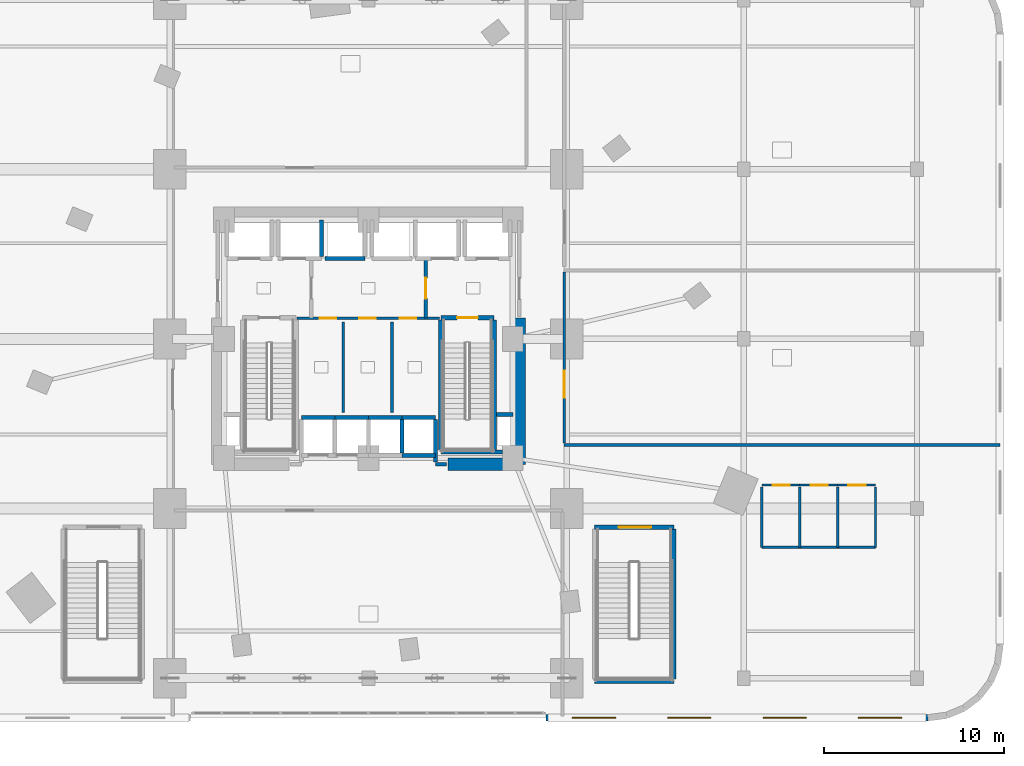
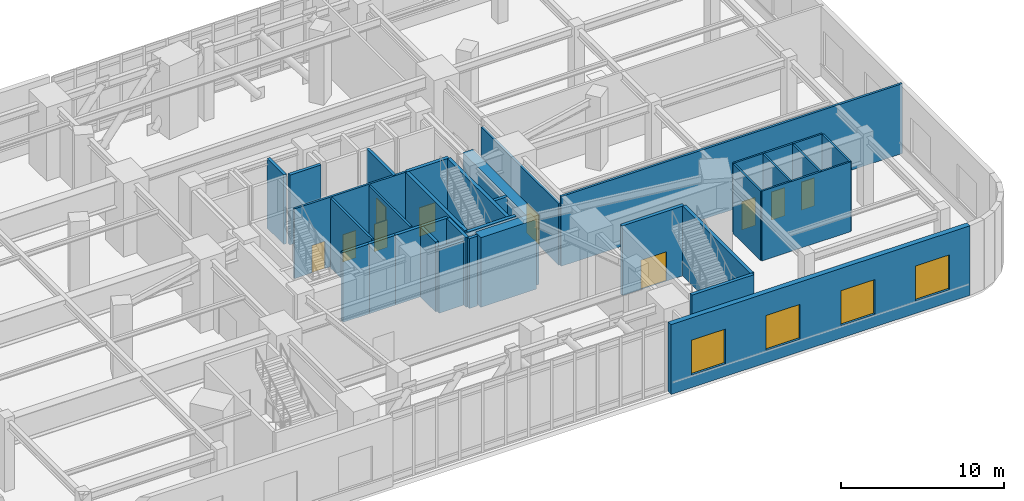
# One storey, part 14 of 19: 35 walls, 10 doors, 4 windows, 14 openings.
"""IFC4 building model written with IfcOpenShell, lengths in metres."""

from ifc_helpers import new_model, si_unit, direction, frame, frame_2d, origin, place, context, subcontext, project, spatial, rectangle, extrude, material, layer, layer_set, type_object, element, fill, save


model = new_model("IFC4")

# Units and contexts
model_context = context("Model", 3, precision=1e-05, world=origin(), true_north=direction((0.0, 1.0)))
body_context = subcontext(model_context, "Body", "Model", "MODEL_VIEW")
ifc_project = project(units=[si_unit("LENGTHUNIT", "METRE"), si_unit("AREAUNIT", "SQUARE_METRE"), si_unit("VOLUMEUNIT", "CUBIC_METRE"), si_unit("PLANEANGLEUNIT", "RADIAN"), si_unit("MASSUNIT", "GRAM", prefix="KILO")], contexts=[model_context])

# Site, building, storey
site_placement = place(None, origin())
site = spatial("IfcSite", under=ifc_project, at=site_placement, CompositionType="ELEMENT")
building_placement = place(site_placement, origin())
building = spatial("IfcBuilding", under=site, at=building_placement, Name="Ndelora Gate Hotel", CompositionType="ELEMENT")
storey_placement = place(building_placement, frame((0.0, 0.0, 16.0)))
storey = spatial("IfcBuildingStorey", under=building, at=storey_placement, Name="L03", CompositionType="ELEMENT", Elevation=16.0)

# Wall, openings, windows
ifc_material_1 = material(Name="Clay Brick Masonry", Category="masonry")
ifc_layer_1 = layer(ifc_material_1, 0.360107421875)
ifc_layer_set_1 = layer_set([ifc_layer_1], Name="Clay Brick Masonry")
wall_type_1 = type_object("IfcWallType", Name="WL-BRICK-360", PredefinedType="SOLIDWALL", material=ifc_layer_set_1)
wall_1_placement = place(storey_placement, frame((31.0, -21.0, 0.0), z_axis=(0.0, 0.0, 1.0), x_axis=(-1.0, 0.0, 0.0)))
wall_1 = element("IfcWall", 1, at=wall_1_placement, inside=storey, type_object=wall_type_1, Name="L03 Exterior Brick Pier-and-Spandrel Wall 30", PredefinedType="SOLIDWALL", context=body_context, shape_type="SweptSolid", body=[
    extrude(rectangle(XDim=21.14990234375, YDim=0.360107421875, at=frame_2d((10.574951171875, 0.0))), origin(), (0.0, 0.0, 1.0), 5.219970703125),
])
opening_1_placement = place(wall_1_placement, frame((1.443603515625, 0.0, 0.949951171875)))
opening_1 = element("IfcOpeningElement", 2, at=opening_1_placement, cuts=wall_1, Name="Opening W04", PredefinedType="OPENING", context=body_context, shape_type="SweptSolid", body=[
    extrude(rectangle(XDim=2.39990234375, YDim=2.60009765625, at=frame_2d((1.199951171875, 1.300048828125))), frame((0.0, 0.18994140625, 0.0), z_axis=(0.0, -1.0, 0.0), x_axis=(1.0, 0.0, 0.0)), (0.0, 0.0, 1.0), 0.380126953125),
])
opening_2_placement = place(wall_1_placement, frame((6.731201171875, 0.0, 0.949951171875)))
opening_2 = element("IfcOpeningElement", 3, at=opening_2_placement, cuts=wall_1, Name="Opening W04", PredefinedType="OPENING", context=body_context, shape_type="SweptSolid", body=[
    extrude(rectangle(XDim=2.39990234375, YDim=2.60009765625, at=frame_2d((1.199951171875, 1.300048828125))), frame((0.0, 0.18994140625, 0.0), z_axis=(0.0, -1.0, 0.0), x_axis=(1.0, 0.0, 0.0)), (0.0, 0.0, 1.0), 0.380126953125),
])
opening_3_placement = place(wall_1_placement, frame((12.018798828125, 0.0, 0.949951171875)))
opening_3 = element("IfcOpeningElement", 4, at=opening_3_placement, cuts=wall_1, Name="Opening W04", PredefinedType="OPENING", context=body_context, shape_type="SweptSolid", body=[
    extrude(rectangle(XDim=2.39990234375, YDim=2.60009765625, at=frame_2d((1.199951171875, 1.300048828125))), frame((0.0, 0.18994140625, 0.0), z_axis=(0.0, -1.0, 0.0), x_axis=(1.0, 0.0, 0.0)), (0.0, 0.0, 1.0), 0.380126953125),
])
opening_4_placement = place(wall_1_placement, frame((17.30615234375, 0.0, 0.949951171875)))
opening_4 = element("IfcOpeningElement", 5, at=opening_4_placement, cuts=wall_1, Name="Opening W04", PredefinedType="OPENING", context=body_context, shape_type="SweptSolid", body=[
    extrude(rectangle(XDim=2.39990234375, YDim=2.60009765625, at=frame_2d((1.199951171875, 1.300048828125))), frame((0.0, 0.18994140625, 0.0), z_axis=(0.0, -1.0, 0.0), x_axis=(1.0, 0.0, 0.0)), (0.0, 0.0, 1.0), 0.380126953125),
])
ifc_material_2 = material(Name="Insulated Low-E Double Glazing in Bronze Aluminium Frame", Category="aluminium")
window_type = type_object("IfcWindowType", Name="WN-POD-2400", PartitioningType="SINGLE_PANEL", PredefinedType="WINDOW", material=ifc_material_2)
window_1_placement = place(opening_1_placement, origin())
window_1 = element("IfcWindow", 6, at=window_1_placement, inside=storey, type_object=window_type, Name="L03 Deep-Set Podium Brick-Frame Window W04", OverallHeight=2.60009765625, OverallWidth=2.39990234375, PartitioningType="SINGLE_PANEL", PredefinedType="WINDOW", context=body_context, shape_type="SweptSolid", body=[
    extrude(rectangle(XDim=2.39990234375, YDim=2.60009765625, at=frame_2d((1.199951171875, 1.300048828125))), frame((0.0, 0.030029296875, 0.0), z_axis=(0.0, -1.0, 0.0), x_axis=(1.0, 0.0, 0.0)), (0.0, 0.0, 1.0), 0.06005859375),
])
fill(opening_1, window_1)
window_2_placement = place(opening_2_placement, origin())
window_2 = element("IfcWindow", 7, at=window_2_placement, inside=storey, type_object=window_type, Name="L03 Deep-Set Podium Brick-Frame Window W04", OverallHeight=2.60009765625, OverallWidth=2.39990234375, PartitioningType="SINGLE_PANEL", PredefinedType="WINDOW", context=body_context, shape_type="SweptSolid", body=[
    extrude(rectangle(XDim=2.39990234375, YDim=2.60009765625, at=frame_2d((1.199951171875, 1.300048828125))), frame((0.0, 0.030029296875, 0.0), z_axis=(0.0, -1.0, 0.0), x_axis=(1.0, 0.0, 0.0)), (0.0, 0.0, 1.0), 0.06005859375),
])
fill(opening_2, window_2)
window_3_placement = place(opening_3_placement, origin())
window_3 = element("IfcWindow", 8, at=window_3_placement, inside=storey, type_object=window_type, Name="L03 Deep-Set Podium Brick-Frame Window W04", OverallHeight=2.60009765625, OverallWidth=2.39990234375, PartitioningType="SINGLE_PANEL", PredefinedType="WINDOW", context=body_context, shape_type="SweptSolid", body=[
    extrude(rectangle(XDim=2.39990234375, YDim=2.60009765625, at=frame_2d((1.199951171875, 1.300048828125))), frame((0.0, 0.030029296875, 0.0), z_axis=(0.0, -1.0, 0.0), x_axis=(1.0, 0.0, 0.0)), (0.0, 0.0, 1.0), 0.06005859375),
])
fill(opening_3, window_3)
window_4_placement = place(opening_4_placement, origin())
window_4 = element("IfcWindow", 9, at=window_4_placement, inside=storey, type_object=window_type, Name="L03 Deep-Set Podium Brick-Frame Window W04", OverallHeight=2.60009765625, OverallWidth=2.39990234375, PartitioningType="SINGLE_PANEL", PredefinedType="WINDOW", context=body_context, shape_type="SweptSolid", body=[
    extrude(rectangle(XDim=2.39990234375, YDim=2.60009765625, at=frame_2d((1.199951171875, 1.300048828125))), frame((0.0, 0.030029296875, 0.0), z_axis=(0.0, -1.0, 0.0), x_axis=(1.0, 0.0, 0.0)), (0.0, 0.0, 1.0), 0.06005859375),
])
fill(opening_4, window_4)

# Walls
ifc_material_3 = material(Name="Concrete C60/75", Category="concrete")
ifc_layer_2 = layer(ifc_material_3, 0.699951171875)
ifc_layer_set_2 = layer_set([ifc_layer_2], Name="Concrete C60/75")
wall_type_2 = type_object("IfcWallType", Name="WL-CORE-700", PredefinedType="SHEAR", material=ifc_layer_set_2)
wall_2_placement = place(storey_placement, frame((4.39990234375, -6.949951171875, 0.0), z_axis=(0.0, 0.0, 1.0), x_axis=(1.0, 0.0, 0.0)))
element("IfcWall", 10, at=wall_2_placement, inside=storey, type_object=wall_type_2, Name="L03 Core Shear Wall S-E", PredefinedType="SHEAR", context=body_context, shape_type="SweptSolid", body=[
    extrude(rectangle(XDim=3.9501953125, YDim=0.699951171875, at=frame_2d((1.97509765625, 0.0))), origin(), (0.0, 0.0, 1.0), 5.219970703125),
])
wall_3_placement = place(storey_placement, frame((8.35009765625, -6.949951171875, 0.0), z_axis=(0.0, 0.0, 1.0), x_axis=(0.0, 1.0, 0.0)))
element("IfcWall", 11, at=wall_3_placement, inside=storey, type_object=wall_type_2, Name="L03 Core Shear Wall E", PredefinedType="SHEAR", context=body_context, shape_type="SweptSolid", body=[
    extrude(rectangle(XDim=8.099853515625, YDim=0.699951171875, at=frame_2d((4.0498046875, 0.0))), origin(), (0.0, 0.0, 1.0), 5.219970703125),
])

# Wall, opening, door
ifc_material_4 = material(Name="Concrete C40/50", Category="concrete")
ifc_layer_3 = layer(ifc_material_4, 0.199951171875)
ifc_layer_set_3 = layer_set([ifc_layer_3], Name="Concrete C40/50")
wall_type_3 = type_object("IfcWallType", Name="WL-FIRE-200", PredefinedType="PARTITIONING", material=ifc_layer_set_3)
wall_4_placement = place(storey_placement, frame((3.179931640625, 1.14990234375, 0.0), z_axis=(0.0, 0.0, 1.0), x_axis=(0.0, 1.0, 0.0)))
wall_4 = element("IfcWall", 12, at=wall_4_placement, inside=storey, type_object=wall_type_3, Name="L03 Interior Wall IW-2", PredefinedType="PARTITIONING", context=body_context, shape_type="SweptSolid", body=[
    extrude(rectangle(XDim=3.300048828125, YDim=0.199951171875, at=frame_2d((1.64990234375, 0.0))), origin(), (0.0, 0.0, 1.0), 5.219970703125),
])
opening_5_placement = place(wall_4_placement, frame((1.080078125, 0.0, 0.0)))
opening_5 = element("IfcOpeningElement", 13, at=opening_5_placement, cuts=wall_4, Name="Opening FD1", PredefinedType="OPENING", context=body_context, shape_type="SweptSolid", body=[
    extrude(rectangle(XDim=1.14990234375, YDim=2.14990234375, at=frame_2d((0.574951171875, 1.074951171875))), frame((0.0, 0.10986328125, 0.0), z_axis=(0.0, -1.0, 0.0), x_axis=(1.0, 0.0, 0.0)), (0.0, 0.0, 1.0), 0.219970703125),
])
ifc_material_5 = material(Name="Fire-Rated Timber-Veneer Steel Core", Category="steel")
door_type_1 = type_object("IfcDoorType", Name="DR-FD60", OperationType="SINGLE_SWING_LEFT", PredefinedType="DOOR", material=ifc_material_5)
door_1_placement = place(opening_5_placement, origin())
door_1 = element("IfcDoor", 14, at=door_1_placement, inside=storey, type_object=door_type_1, Name="L03 Firefighting Lobby East Door", OperationType="SINGLE_SWING_LEFT", OverallHeight=2.14990234375, OverallWidth=1.14990234375, PredefinedType="DOOR", context=body_context, shape_type="SweptSolid", body=[
    extrude(rectangle(XDim=1.14990234375, YDim=2.14990234375, at=frame_2d((0.574951171875, 1.074951171875))), frame((0.0, 0.02490234375, 0.0), z_axis=(0.0, -1.0, 0.0), x_axis=(1.0, 0.0, 0.0)), (0.0, 0.0, 1.0), 0.050048828125),
])
fill(opening_5, door_1)

# Wall
wall_5_placement = place(storey_placement, frame((3.719970703125, -6.949951171875, 0.0), z_axis=(0.0, 0.0, 1.0), x_axis=(1.0, 0.0, 0.0)))
element("IfcWall", 15, at=wall_5_placement, inside=storey, type_object=wall_type_3, Name="L03 Interior Wall IW-2", PredefinedType="PARTITIONING", context=body_context, shape_type="SweptSolid", body=[
    extrude(rectangle(XDim=0.60009765625, YDim=0.199951171875, at=frame_2d((0.300048828125, 0.0))), origin(), (0.0, 0.0, 1.0), 5.219970703125),
])

# Wall, openings, doors
ifc_material_6 = material(Name="Fire-Rated Gypsum Stud Partition", Category="gypsum")
ifc_layer_4 = layer(ifc_material_6, 0.14990234375)
ifc_layer_set_4 = layer_set([ifc_layer_4], Name="Fire-Rated Gypsum Stud Partition")
wall_type_4 = type_object("IfcWallType", Name="WL-PART-150", PredefinedType="PARTITIONING", material=ifc_layer_set_4)
wall_6_placement = place(storey_placement, frame((3.949951171875, 1.14990234375, 0.0), z_axis=(0.0, 0.0, 1.0), x_axis=(-1.0, 0.0, 0.0)))
wall_6 = element("IfcWall", 16, at=wall_6_placement, inside=storey, type_object=wall_type_4, Name="L03 Interior Wall IW-5", PredefinedType="PARTITIONING", context=body_context, shape_type="SweptSolid", body=[
    extrude(rectangle(XDim=7.89990234375, YDim=0.14990234375, at=frame_2d((3.949951171875, 0.0))), origin(), (0.0, 0.0, 1.0), 5.219970703125),
])
opening_6_placement = place(wall_6_placement, frame((5.739990234375, 0.0, 0.0)))
opening_6 = element("IfcOpeningElement", 17, at=opening_6_placement, cuts=wall_6, Name="Opening D04", PredefinedType="OPENING", context=body_context, shape_type="SweptSolid", body=[
    extrude(rectangle(XDim=0.919921875, YDim=2.050048828125, at=frame_2d((0.4599609375, 1.02490234375))), frame((0.0, 0.0849609375, 0.0), z_axis=(0.0, -1.0, 0.0), x_axis=(1.0, 0.0, 0.0)), (0.0, 0.0, 1.0), 0.169921875),
])
opening_7_placement = place(wall_6_placement, frame((3.5400390625, 0.0, 0.0)))
opening_7 = element("IfcOpeningElement", 18, at=opening_7_placement, cuts=wall_6, Name="Opening D04", PredefinedType="OPENING", context=body_context, shape_type="SweptSolid", body=[
    extrude(rectangle(XDim=0.919921875, YDim=2.050048828125, at=frame_2d((0.4599609375, 1.02490234375))), frame((0.0, 0.0849609375, 0.0), z_axis=(0.0, -1.0, 0.0), x_axis=(1.0, 0.0, 0.0)), (0.0, 0.0, 1.0), 0.169921875),
])
opening_8_placement = place(wall_6_placement, frame((1.2900390625, 0.0, 0.0)))
opening_8 = element("IfcOpeningElement", 19, at=opening_8_placement, cuts=wall_6, Name="Opening D04", PredefinedType="OPENING", context=body_context, shape_type="SweptSolid", body=[
    extrude(rectangle(XDim=0.919921875, YDim=2.050048828125, at=frame_2d((0.4599609375, 1.02490234375))), frame((0.0, 0.0849609375, 0.0), z_axis=(0.0, -1.0, 0.0), x_axis=(1.0, 0.0, 0.0)), (0.0, 0.0, 1.0), 0.169921875),
])
ifc_material_7 = material(Name="Painted Steel Core Service Door", Category="steel")
door_type_2 = type_object("IfcDoorType", Name="DR-SER-920", OperationType="SINGLE_SWING_LEFT", PredefinedType="DOOR", material=ifc_material_7)
door_2_placement = place(opening_6_placement, origin())
door_2 = element("IfcDoor", 20, at=door_2_placement, inside=storey, type_object=door_type_2, Name="L03 Core Cleaners Store Door", OperationType="SINGLE_SWING_LEFT", OverallHeight=2.050048828125, OverallWidth=0.919921875, PredefinedType="DOOR", context=body_context, shape_type="SweptSolid", body=[
    extrude(rectangle(XDim=0.919921875, YDim=2.050048828125, at=frame_2d((0.4599609375, 1.02490234375))), frame((0.0, 0.02490234375, 0.0), z_axis=(0.0, -1.0, 0.0), x_axis=(1.0, 0.0, 0.0)), (0.0, 0.0, 1.0), 0.050048828125),
])
fill(opening_6, door_2)
door_3_placement = place(opening_7_placement, origin())
door_3 = element("IfcDoor", 21, at=door_3_placement, inside=storey, type_object=door_type_2, Name="L03 Core Telecoms Equipment Room Door", OperationType="SINGLE_SWING_RIGHT", OverallHeight=2.050048828125, OverallWidth=0.919921875, PredefinedType="DOOR", context=body_context, shape_type="SweptSolid", body=[
    extrude(rectangle(XDim=0.919921875, YDim=2.050048828125, at=frame_2d((0.4599609375, 1.02490234375))), frame((0.0, 0.02490234375, 0.0), z_axis=(0.0, -1.0, 0.0), x_axis=(1.0, 0.0, 0.0)), (0.0, 0.0, 1.0), 0.050048828125),
])
fill(opening_7, door_3)
door_4_placement = place(opening_8_placement, origin())
door_4 = element("IfcDoor", 22, at=door_4_placement, inside=storey, type_object=door_type_2, Name="L03 Core Electrical Metering Room Door", OperationType="SINGLE_SWING_LEFT", OverallHeight=2.050048828125, OverallWidth=0.919921875, PredefinedType="DOOR", context=body_context, shape_type="SweptSolid", body=[
    extrude(rectangle(XDim=0.919921875, YDim=2.050048828125, at=frame_2d((0.4599609375, 1.02490234375))), frame((0.0, 0.02490234375, 0.0), z_axis=(0.0, -1.0, 0.0), x_axis=(1.0, 0.0, 0.0)), (0.0, 0.0, 1.0), 0.050048828125),
])
fill(opening_8, door_4)

# Walls
for number, where, z_axis, x_axis, name in (
    (23, (-1.39990234375, -4.080078125, 0.0), (0.0, 0.0, 1.0), (0.0, 1.0, 0.0), "L03 Interior Wall IW-5"),
    (24, (1.300048828125, -4.080078125, 0.0), (0.0, 0.0, 1.0), (0.0, 1.0, 0.0), "L03 Interior Wall IW-5"),
):
    element("IfcWall", number, at=place(storey_placement, frame(where, z_axis=z_axis, x_axis=x_axis)), inside=storey, type_object=wall_type_4, Name=name, PredefinedType="PARTITIONING", context=body_context, shape_type="SweptSolid", body=[
        extrude(rectangle(XDim=5.030029296875, YDim=0.14990234375, at=frame_2d((2.51513671875, 0.0))), origin(), (0.0, 0.0, 1.0), 5.219970703125),
    ])
ifc_layer_5 = layer(ifc_material_6, 0.159912109375)
ifc_layer_set_5 = layer_set([ifc_layer_5], Name="Fire-Rated Gypsum Stud Partition")
wall_type_5 = type_object("IfcWallType", Name="WL-PART-160", PredefinedType="PARTITIONING", material=ifc_layer_set_5)
wall_7_placement = place(storey_placement, frame((10.85009765625, -5.8798828125, 0.0), z_axis=(0.0, 0.0, 1.0), x_axis=(1.0, 0.0, 0.0)))
element("IfcWall", 25, at=wall_7_placement, inside=storey, type_object=wall_type_5, Name="L03 Interior Wall IW-4", PredefinedType="PARTITIONING", context=body_context, shape_type="SweptSolid", body=[
    extrude(rectangle(XDim=24.14990234375, YDim=0.159912109375, at=frame_2d((12.074951171875, 0.0))), origin(), (0.0, 0.0, 1.0), 5.219970703125),
])

# Wall, opening, door
wall_8_placement = place(storey_placement, frame((10.85009765625, 3.699951171875, 0.0), z_axis=(0.0, 0.0, 1.0), x_axis=(0.0, -1.0, 0.0)))
wall_8 = element("IfcWall", 26, at=wall_8_placement, inside=storey, type_object=wall_type_5, Name="L03 Interior Wall IW-4", PredefinedType="PARTITIONING", context=body_context, shape_type="SweptSolid", body=[
    extrude(rectangle(XDim=9.47998046875, YDim=0.159912109375, at=frame_2d((4.739990234375, 0.0))), origin(), (0.0, 0.0, 1.0), 4.60009765625),
])
opening_9_placement = place(wall_8_placement, frame((5.4599609375, 0.0, 0.0)))
opening_9 = element("IfcOpeningElement", 27, at=opening_9_placement, cuts=wall_8, Name="Opening D06", PredefinedType="OPENING", context=body_context, shape_type="SweptSolid", body=[
    extrude(rectangle(XDim=1.5, YDim=2.199951171875, at=frame_2d((0.75, 1.10009765625))), frame((0.0, 0.08984375, 0.0), z_axis=(0.0, -1.0, 0.0), x_axis=(1.0, 0.0, 0.0)), (0.0, 0.0, 1.0), 0.179931640625),
])
ifc_material_8 = material(Name="Podium Salon Double Leaf Door", Category="wood")
door_type_3 = type_object("IfcDoorType", Name="DR-POD-1500", OperationType="DOUBLE_DOOR_SINGLE_SWING", PredefinedType="DOOR", material=ifc_material_8)
door_5_placement = place(opening_9_placement, origin())
door_5 = element("IfcDoor", 28, at=door_5_placement, inside=storey, type_object=door_type_3, Name="L03 Bridal and VIP Suite Salon Door", OperationType="DOUBLE_DOOR_SINGLE_SWING", OverallHeight=2.199951171875, OverallWidth=1.5, PredefinedType="DOOR", context=body_context, shape_type="SweptSolid", body=[
    extrude(rectangle(XDim=1.5, YDim=2.199951171875, at=frame_2d((0.75, 1.10009765625))), frame((0.0, 0.02490234375, 0.0), z_axis=(0.0, -1.0, 0.0), x_axis=(1.0, 0.0, 0.0)), (0.0, 0.0, 1.0), 0.050048828125),
])
fill(opening_9, door_5)

# Walls
ifc_layer_6 = layer(ifc_material_4, 0.219970703125)
ifc_layer_set_6 = layer_set([ifc_layer_6], Name="Concrete C40/50")
wall_type_6 = type_object("IfcWallType", Name="WL-SHAFT-220", PredefinedType="PARTITIONING", material=ifc_layer_set_6)
wall_9_placement = place(storey_placement, frame((7.090087890625, -4.199951171875, 0.0), z_axis=(0.0, 0.0, 1.0), x_axis=(1.0, 0.0, 0.0)))
element("IfcWall", 29, at=wall_9_placement, inside=storey, type_object=wall_type_6, Name="L03 Interior Wall IW-1", PredefinedType="PARTITIONING", context=body_context, shape_type="SweptSolid", body=[
    extrude(rectangle(XDim=0.909912109375, YDim=0.219970703125, at=frame_2d((0.455078125, 0.0))), origin(), (0.0, 0.0, 1.0), 5.219970703125),
])
wall_10_placement = place(storey_placement, frame((-2.60009765625, 4.570068359375, 0.0), z_axis=(0.0, 0.0, 1.0), x_axis=(0.0, 1.0, 0.0)))
element("IfcWall", 30, at=wall_10_placement, inside=storey, type_object=wall_type_6, Name="L03 Interior Wall IW-1", PredefinedType="PARTITIONING", context=body_context, shape_type="SweptSolid", body=[
    extrude(rectangle(XDim=2.030029296875, YDim=0.219970703125, at=frame_2d((1.01513671875, 0.0))), origin(), (0.0, 0.0, 1.0), 5.219970703125),
])
wall_11_placement = place(storey_placement, frame((-3.719970703125, -4.35009765625, 0.0), z_axis=(0.0, 0.0, 1.0), x_axis=(1.0, 0.0, 0.0)))
element("IfcWall", 31, at=wall_11_placement, inside=storey, type_object=wall_type_6, Name="L03 Interior Wall IW-1", PredefinedType="PARTITIONING", context=body_context, shape_type="SweptSolid", body=[
    extrude(rectangle(XDim=1.85986328125, YDim=0.219970703125, at=frame_2d((0.929931640625, 0.0))), origin(), (0.0, 0.0, 1.0), 5.219970703125),
])
for number, where, z_axis, x_axis, name in (
    (32, (-1.860107421875, -4.35009765625, 0.0), (0.0, 0.0, 1.0), (1.0, 0.0, 0.0), "L03 Interior Wall IW-1"),
    (33, (0.0, -4.35009765625, 0.0), (0.0, 0.0, 1.0), (1.0, 0.0, 0.0), "L03 Interior Wall IW-1"),
    (34, (1.860107421875, -6.330078125, 0.0), (0.0, 0.0, 1.0), (0.0, 1.0, 0.0), "L03 Interior Wall IW-1"),
):
    element("IfcWall", number, at=place(storey_placement, frame(where, z_axis=z_axis, x_axis=x_axis)), inside=storey, type_object=wall_type_6, Name=name, PredefinedType="PARTITIONING", context=body_context, shape_type="SweptSolid", body=[
        extrude(rectangle(XDim=1.860107421875, YDim=0.219970703125, at=frame_2d((0.93017578125, 0.0))), origin(), (0.0, 0.0, 1.0), 5.219970703125),
    ])
wall_12_placement = place(storey_placement, frame((1.860107421875, -6.449951171875, 0.0), z_axis=(0.0, 0.0, 1.0), x_axis=(1.0, 0.0, 0.0)))
element("IfcWall", 35, at=wall_12_placement, inside=storey, type_object=wall_type_6, Name="L03 Interior Wall IW-1", PredefinedType="PARTITIONING", context=body_context, shape_type="SweptSolid", body=[
    extrude(rectangle(XDim=1.85986328125, YDim=0.219970703125, at=frame_2d((0.929931640625, 0.0))), origin(), (0.0, 0.0, 1.0), 4.800048828125),
])
wall_13_placement = place(storey_placement, frame((1.860107421875, -4.35009765625, 0.0), z_axis=(0.0, 0.0, 1.0), x_axis=(1.0, 0.0, 0.0)))
element("IfcWall", 36, at=wall_13_placement, inside=storey, type_object=wall_type_6, Name="L03 Interior Wall IW-1", PredefinedType="PARTITIONING", context=body_context, shape_type="SweptSolid", body=[
    extrude(rectangle(XDim=1.85986328125, YDim=0.219970703125, at=frame_2d((0.929931640625, 0.0))), origin(), (0.0, 0.0, 1.0), 5.219970703125),
])
wall_14_placement = place(storey_placement, frame((3.719970703125, -6.830078125, 0.0), z_axis=(0.0, 0.0, 1.0), x_axis=(0.0, 1.0, 0.0)))
element("IfcWall", 37, at=wall_14_placement, inside=storey, type_object=wall_type_6, Name="L03 Interior Wall IW-1", PredefinedType="PARTITIONING", context=body_context, shape_type="SweptSolid", body=[
    extrude(rectangle(XDim=2.360107421875, YDim=0.219970703125, at=frame_2d((1.18017578125, 0.0))), origin(), (0.0, 0.0, 1.0), 5.219970703125),
])
wall_15_placement = place(storey_placement, frame((-2.39990234375, 4.449951171875, 0.0), z_axis=(0.0, 0.0, 1.0), x_axis=(1.0, 0.0, 0.0)))
element("IfcWall", 38, at=wall_15_placement, inside=storey, type_object=wall_type_6, Name="L03 Interior Wall IW-1", PredefinedType="PARTITIONING", context=body_context, shape_type="SweptSolid", body=[
    extrude(rectangle(XDim=2.199951171875, YDim=0.219970703125, at=frame_2d((1.10009765625, 0.0))), origin(), (0.0, 0.0, 1.0), 5.219970703125),
])
ifc_material_9 = material(Name="Concrete C50/60", Category="concrete")
ifc_layer_7 = layer(ifc_material_9, 0.239990234375)
ifc_layer_set_7 = layer_set([ifc_layer_7], Name="Concrete C50/60")
wall_type_7 = type_object("IfcWallType", Name="WL-STAIR-240", PredefinedType="SHEAR", material=ifc_layer_set_7)
for number, where, z_axis, x_axis, name in (
    (39, (4.010009765625, -6.159912109375, 0.0), (0.0, 0.0, 1.0), (0.0, 1.0, 0.0), "L03 Stair Core Shear Wall SW-ST"),
    (40, (6.969970703125, -6.159912109375, 0.0), (0.0, 0.0, 1.0), (0.0, 1.0, 0.0), "L03 Stair Core Shear Wall SW-ST"),
):
    element("IfcWall", number, at=place(storey_placement, frame(where, z_axis=z_axis, x_axis=x_axis)), inside=storey, type_object=wall_type_7, Name=name, PredefinedType="SHEAR", context=body_context, shape_type="SweptSolid", body=[
        extrude(rectangle(XDim=7.219970703125, YDim=0.239990234375, at=frame_2d((3.60986328125, 0.0))), origin(), (0.0, 0.0, 1.0), 5.219970703125),
    ])
wall_16_placement = place(storey_placement, frame((4.010009765625, -6.27001953125, 0.0), z_axis=(0.0, 0.0, 1.0), x_axis=(1.0, 0.0, 0.0)))
element("IfcWall", 41, at=wall_16_placement, inside=storey, type_object=wall_type_7, Name="L03 Stair Core Shear Wall SW-ST", PredefinedType="SHEAR", context=body_context, shape_type="SweptSolid", body=[
    extrude(rectangle(XDim=3.4150390625, YDim=0.239990234375, at=frame_2d((1.70751953125, 0.0))), origin(), (0.0, 0.0, 1.0), 5.219970703125),
])

# Wall, opening, door
wall_17_placement = place(storey_placement, frame((4.010009765625, 1.169921875, 0.0), z_axis=(0.0, 0.0, 1.0), x_axis=(1.0, 0.0, 0.0)))
wall_17 = element("IfcWall", 42, at=wall_17_placement, inside=storey, type_object=wall_type_7, Name="L03 Stair Core Shear Wall SW-ST", PredefinedType="SHEAR", context=body_context, shape_type="SweptSolid", body=[
    extrude(rectangle(XDim=2.9599609375, YDim=0.239990234375, at=frame_2d((1.47998046875, 0.0))), origin(), (0.0, 0.0, 1.0), 5.219970703125),
])
opening_10_placement = place(wall_17_placement, frame((0.89990234375, 0.0, 0.0)))
opening_10 = element("IfcOpeningElement", 43, at=opening_10_placement, cuts=wall_17, Name="Opening FD1", PredefinedType="OPENING", context=body_context, shape_type="SweptSolid", body=[
    extrude(rectangle(XDim=1.14990234375, YDim=2.14990234375, at=frame_2d((0.574951171875, 1.074951171875))), frame((0.0, 0.1298828125, 0.0), z_axis=(0.0, -1.0, 0.0), x_axis=(1.0, 0.0, 0.0)), (0.0, 0.0, 1.0), 0.260009765625),
])
door_6_placement = place(opening_10_placement, origin())
door_6 = element("IfcDoor", 44, at=door_6_placement, inside=storey, type_object=door_type_1, Name="L03 Exit Stair ST5 Door", OperationType="SINGLE_SWING_RIGHT", OverallHeight=2.14990234375, OverallWidth=1.14990234375, PredefinedType="DOOR", context=body_context, shape_type="SweptSolid", body=[
    extrude(rectangle(XDim=1.14990234375, YDim=2.14990234375, at=frame_2d((0.574951171875, 1.074951171875))), frame((0.0, 0.02490234375, 0.0), z_axis=(0.0, -1.0, 0.0), x_axis=(1.0, 0.0, 0.0)), (0.0, 0.0, 1.0), 0.050048828125),
])
fill(opening_10, door_6)

# Walls
wall_18_placement = place(storey_placement, frame((16.919921875, -18.860107421875, 0.0), z_axis=(0.0, 0.0, 1.0), x_axis=(0.0, 1.0, 0.0)))
element("IfcWall", 45, at=wall_18_placement, inside=storey, type_object=wall_type_7, Name="L03 Stair Core Shear Wall SW-ST", PredefinedType="SHEAR", context=body_context, shape_type="SweptSolid", body=[
    extrude(rectangle(XDim=8.320068359375, YDim=0.239990234375, at=frame_2d((4.16015625, 0.0))), origin(), (0.0, 0.0, 1.0), 5.219970703125),
])
wall_19_placement = place(storey_placement, frame((12.5400390625, -18.969970703125, 0.0), z_axis=(0.0, 0.0, 1.0), x_axis=(1.0, 0.0, 0.0)))
element("IfcWall", 46, at=wall_19_placement, inside=storey, type_object=wall_type_7, Name="L03 Stair Core Shear Wall SW-ST", PredefinedType="SHEAR", context=body_context, shape_type="SweptSolid", body=[
    extrude(rectangle(XDim=4.3798828125, YDim=0.239990234375, at=frame_2d((2.18994140625, 0.0))), origin(), (0.0, 0.0, 1.0), 5.219970703125),
])

# Wall, opening, door
wall_20_placement = place(storey_placement, frame((16.919921875, -10.429931640625, 0.0), z_axis=(0.0, 0.0, 1.0), x_axis=(-1.0, 0.0, 0.0)))
wall_20 = element("IfcWall", 47, at=wall_20_placement, inside=storey, type_object=wall_type_7, Name="L03 Stair Core Shear Wall SW-ST", PredefinedType="SHEAR", context=body_context, shape_type="SweptSolid", body=[
    extrude(rectangle(XDim=4.3798828125, YDim=0.239990234375, at=frame_2d((2.18994140625, 0.0))), origin(), (0.0, 0.0, 1.0), 5.219970703125),
])
opening_11_placement = place(wall_20_placement, frame((1.25, 0.0, 0.0)))
opening_11 = element("IfcOpeningElement", 48, at=opening_11_placement, cuts=wall_20, Name="Opening FD2", PredefinedType="OPENING", context=body_context, shape_type="SweptSolid", body=[
    extrude(rectangle(XDim=1.800048828125, YDim=2.199951171875, at=frame_2d((0.89990234375, 1.10009765625))), frame((0.0, 0.1298828125, 0.0), z_axis=(0.0, -1.0, 0.0), x_axis=(1.0, 0.0, 0.0)), (0.0, 0.0, 1.0), 0.260009765625),
])
ifc_material_10 = material(Name="Fire-Rated Double Exit Door", Category="wood")
door_type_4 = type_object("IfcDoorType", Name="DR-DBL-1800", OperationType="DOUBLE_DOOR_SINGLE_SWING", PredefinedType="DOOR", material=ifc_material_10)
door_7_placement = place(opening_11_placement, origin())
door_7 = element("IfcDoor", 49, at=door_7_placement, inside=storey, type_object=door_type_4, Name="L03 Ballroom Stair ST3B Door", OperationType="DOUBLE_DOOR_SINGLE_SWING", OverallHeight=2.199951171875, OverallWidth=1.800048828125, PredefinedType="DOOR", context=body_context, shape_type="SweptSolid", body=[
    extrude(rectangle(XDim=1.800048828125, YDim=2.199951171875, at=frame_2d((0.89990234375, 1.10009765625))), frame((0.0, 0.02490234375, 0.0), z_axis=(0.0, -1.0, 0.0), x_axis=(1.0, 0.0, 0.0)), (0.0, 0.0, 1.0), 0.050048828125),
])
fill(opening_11, door_7)

ifc_material_11 = material(Name="Moisture-Resistant Fire-Rated Tile Partition", Category="gypsum")
ifc_layer_8 = layer(ifc_material_11, 0.1298828125)
ifc_layer_set_8 = layer_set([ifc_layer_8], Name="Moisture-Resistant Fire-Rated Tile Partition")
wall_type_8 = type_object("IfcWallType", Name="WL-WET-RATED", PredefinedType="PARTITIONING", material=ifc_layer_set_8)
wall_21_placement = place(storey_placement, frame((23.89990234375, -8.10009765625, 0.0), z_axis=(0.0, 0.0, 1.0), x_axis=(-1.0, 0.0, 0.0)))
wall_21 = element("IfcWall", 50, at=wall_21_placement, inside=storey, type_object=wall_type_8, Name="L03 Interior Wall IW-6", PredefinedType="PARTITIONING", context=body_context, shape_type="SweptSolid", body=[
    extrude(rectangle(XDim=2.099853515625, YDim=0.1298828125, at=frame_2d((1.0498046875, 0.0))), origin(), (0.0, 0.0, 1.0), 5.219970703125),
])
opening_12_placement = place(wall_21_placement, frame((0.550048828125, 0.0, 0.0)))
opening_12 = element("IfcOpeningElement", 51, at=opening_12_placement, cuts=wall_21, Name="Opening D05", PredefinedType="OPENING", context=body_context, shape_type="SweptSolid", body=[
    extrude(rectangle(XDim=0.949951171875, YDim=2.10009765625, at=frame_2d((0.47509765625, 1.050048828125))), frame((0.0, 0.074951171875, 0.0), z_axis=(0.0, -1.0, 0.0), x_axis=(1.0, 0.0, 0.0)), (0.0, 0.0, 1.0), 0.14990234375),
])
ifc_material_12 = material(Name="Accessible Restroom Wide-Clearance Door", Category="wood")
door_type_5 = type_object("IfcDoorType", Name="DR-ACC-950", OperationType="SINGLE_SWING_LEFT", PredefinedType="DOOR", material=ifc_material_12)
door_8_placement = place(opening_12_placement, origin())
door_8 = element("IfcDoor", 52, at=door_8_placement, inside=storey, type_object=door_type_5, Name="L03 Male Public Restroom Door", OperationType="SINGLE_SWING_LEFT", OverallHeight=2.10009765625, OverallWidth=0.949951171875, PredefinedType="DOOR", context=body_context, shape_type="SweptSolid", body=[
    extrude(rectangle(XDim=0.949951171875, YDim=2.10009765625, at=frame_2d((0.47509765625, 1.050048828125))), frame((0.0, 0.02490234375, 0.0), z_axis=(0.0, -1.0, 0.0), x_axis=(1.0, 0.0, 0.0)), (0.0, 0.0, 1.0), 0.050048828125),
])
fill(opening_12, door_8)

# Wall
wall_22_placement = place(storey_placement, frame((21.800048828125, -11.550048828125, 0.0), z_axis=(0.0, 0.0, 1.0), x_axis=(0.0, 1.0, 0.0)))
element("IfcWall", 53, at=wall_22_placement, inside=storey, type_object=wall_type_8, Name="L03 Interior Wall IW-6", PredefinedType="PARTITIONING", context=body_context, shape_type="SweptSolid", body=[
    extrude(rectangle(XDim=3.340087890625, YDim=0.1298828125, at=frame_2d((1.669921875, 0.0))), origin(), (0.0, 0.0, 1.0), 5.219970703125),
])

# Wall, opening, door
wall_23_placement = place(storey_placement, frame((26.0, -8.10009765625, 0.0), z_axis=(0.0, 0.0, 1.0), x_axis=(-1.0, 0.0, 0.0)))
wall_23 = element("IfcWall", 54, at=wall_23_placement, inside=storey, type_object=wall_type_8, Name="L03 Interior Wall IW-6", PredefinedType="PARTITIONING", context=body_context, shape_type="SweptSolid", body=[
    extrude(rectangle(XDim=2.10009765625, YDim=0.1298828125, at=frame_2d((1.050048828125, 0.0))), origin(), (0.0, 0.0, 1.0), 5.219970703125),
])
opening_13_placement = place(wall_23_placement, frame((0.550048828125, 0.0, 0.0)))
opening_13 = element("IfcOpeningElement", 55, at=opening_13_placement, cuts=wall_23, Name="Opening D05", PredefinedType="OPENING", context=body_context, shape_type="SweptSolid", body=[
    extrude(rectangle(XDim=0.949951171875, YDim=2.10009765625, at=frame_2d((0.47509765625, 1.050048828125))), frame((0.0, 0.074951171875, 0.0), z_axis=(0.0, -1.0, 0.0), x_axis=(1.0, 0.0, 0.0)), (0.0, 0.0, 1.0), 0.14990234375),
])
door_9_placement = place(opening_13_placement, origin())
door_9 = element("IfcDoor", 56, at=door_9_placement, inside=storey, type_object=door_type_5, Name="L03 Female Public Restroom Door", OperationType="SINGLE_SWING_RIGHT", OverallHeight=2.10009765625, OverallWidth=0.949951171875, PredefinedType="DOOR", context=body_context, shape_type="SweptSolid", body=[
    extrude(rectangle(XDim=0.949951171875, YDim=2.10009765625, at=frame_2d((0.47509765625, 1.050048828125))), frame((0.0, 0.02490234375, 0.0), z_axis=(0.0, -1.0, 0.0), x_axis=(1.0, 0.0, 0.0)), (0.0, 0.0, 1.0), 0.050048828125),
])
fill(opening_13, door_9)

# Wall
wall_24_placement = place(storey_placement, frame((23.89990234375, -11.550048828125, 0.0), z_axis=(0.0, 0.0, 1.0), x_axis=(0.0, 1.0, 0.0)))
element("IfcWall", 57, at=wall_24_placement, inside=storey, type_object=wall_type_8, Name="L03 Interior Wall IW-6", PredefinedType="PARTITIONING", context=body_context, shape_type="SweptSolid", body=[
    extrude(rectangle(XDim=3.340087890625, YDim=0.1298828125, at=frame_2d((1.669921875, 0.0))), origin(), (0.0, 0.0, 1.0), 5.219970703125),
])

# Wall, opening, door
wall_25_placement = place(storey_placement, frame((28.10009765625, -8.10009765625, 0.0), z_axis=(0.0, 0.0, 1.0), x_axis=(-1.0, 0.0, 0.0)))
wall_25 = element("IfcWall", 58, at=wall_25_placement, inside=storey, type_object=wall_type_8, Name="L03 Interior Wall IW-6", PredefinedType="PARTITIONING", context=body_context, shape_type="SweptSolid", body=[
    extrude(rectangle(XDim=2.10009765625, YDim=0.1298828125, at=frame_2d((1.050048828125, 0.0))), origin(), (0.0, 0.0, 1.0), 5.219970703125),
])
opening_14_placement = place(wall_25_placement, frame((0.550048828125, 0.0, 0.0)))
opening_14 = element("IfcOpeningElement", 59, at=opening_14_placement, cuts=wall_25, Name="Opening D05", PredefinedType="OPENING", context=body_context, shape_type="SweptSolid", body=[
    extrude(rectangle(XDim=0.949951171875, YDim=2.10009765625, at=frame_2d((0.47509765625, 1.050048828125))), frame((0.0, 0.074951171875, 0.0), z_axis=(0.0, -1.0, 0.0), x_axis=(1.0, 0.0, 0.0)), (0.0, 0.0, 1.0), 0.14990234375),
])
door_10_placement = place(opening_14_placement, origin())
door_10 = element("IfcDoor", 60, at=door_10_placement, inside=storey, type_object=door_type_5, Name="L03 Accessible WC Door", OperationType="SINGLE_SWING_LEFT", OverallHeight=2.10009765625, OverallWidth=0.949951171875, PredefinedType="DOOR", context=body_context, shape_type="SweptSolid", body=[
    extrude(rectangle(XDim=0.949951171875, YDim=2.10009765625, at=frame_2d((0.47509765625, 1.050048828125))), frame((0.0, 0.02490234375, 0.0), z_axis=(0.0, -1.0, 0.0), x_axis=(1.0, 0.0, 0.0)), (0.0, 0.0, 1.0), 0.050048828125),
])
fill(opening_14, door_10)

# Walls
for number, where, z_axis, x_axis, name in (
    (61, (26.0, -11.550048828125, 0.0), (0.0, 0.0, 1.0), (0.0, 1.0, 0.0), "L03 Interior Wall IW-6"),
    (62, (28.10009765625, -11.550048828125, 0.0), (0.0, 0.0, 1.0), (0.0, 1.0, 0.0), "L03 Interior Wall IW-6"),
):
    element("IfcWall", number, at=place(storey_placement, frame(where, z_axis=z_axis, x_axis=x_axis)), inside=storey, type_object=wall_type_8, Name=name, PredefinedType="PARTITIONING", context=body_context, shape_type="SweptSolid", body=[
        extrude(rectangle(XDim=3.340087890625, YDim=0.1298828125, at=frame_2d((1.669921875, 0.0))), origin(), (0.0, 0.0, 1.0), 5.219970703125),
    ])
wall_26_placement = place(storey_placement, frame((21.800048828125, -11.550048828125, 0.0), z_axis=(0.0, 0.0, 1.0), x_axis=(1.0, 0.0, 0.0)))
element("IfcWall", 63, at=wall_26_placement, inside=storey, type_object=wall_type_8, Name="L03 Interior Wall IW-6", PredefinedType="PARTITIONING", context=body_context, shape_type="SweptSolid", body=[
    extrude(rectangle(XDim=6.300048828125, YDim=0.1298828125, at=frame_2d((3.14990234375, 0.0))), origin(), (0.0, 0.0, 1.0), 5.219970703125),
])

save(model, "model.ifc")
